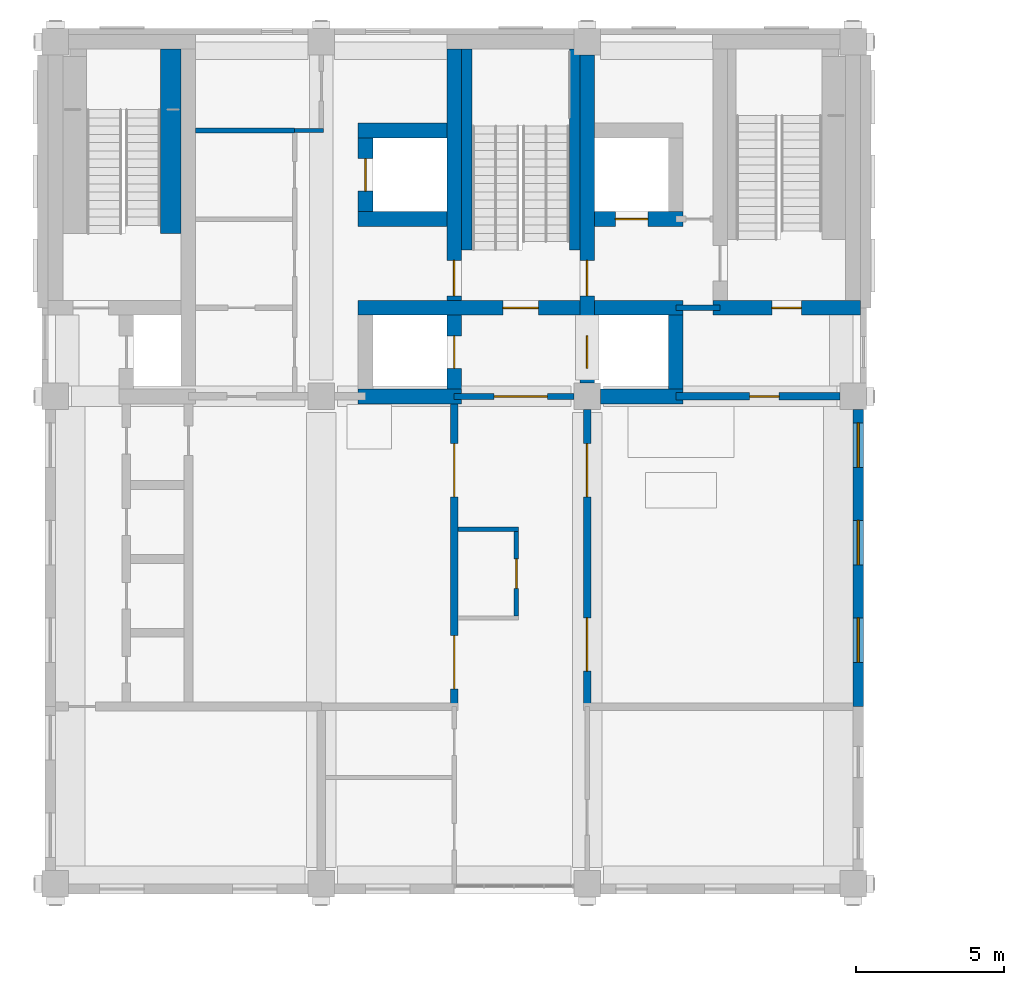
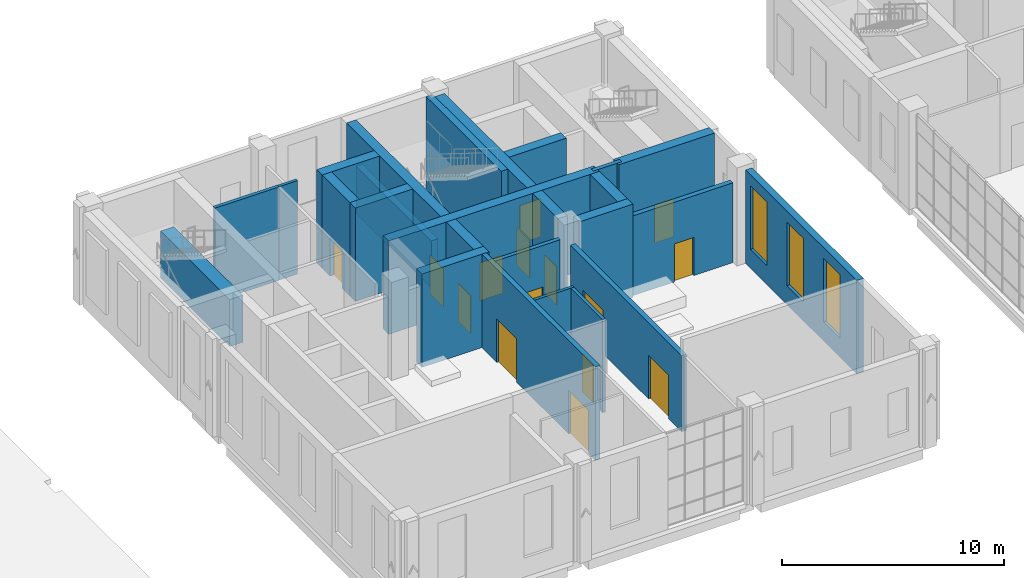
# One storey, part 22 of 33: 24 walls, 15 doors, 3 windows, 18 openings.
"""IFC4 building model written with IfcOpenShell, lengths in metres."""

from ifc_helpers import new_model, si_unit, direction, frame, frame_2d, origin, place, context, subcontext, project, spatial, rectangle, extrude, material, layer, layer_set, type_object, element, fill, save


model = new_model("IFC4")

# Units and contexts
model_context = context("Model", 3, precision=1e-05, world=origin(), true_north=direction((0.0, 1.0)))
body_context = subcontext(model_context, "Body", "Model", "MODEL_VIEW")
ifc_project = project(units=[si_unit("LENGTHUNIT", "METRE"), si_unit("AREAUNIT", "SQUARE_METRE"), si_unit("VOLUMEUNIT", "CUBIC_METRE"), si_unit("PLANEANGLEUNIT", "RADIAN"), si_unit("MASSUNIT", "GRAM", prefix="KILO")], contexts=[model_context])

# Site, building, storey
site_placement = place(None, origin())
site = spatial("IfcSite", under=ifc_project, at=site_placement, CompositionType="ELEMENT")
building_placement = place(site_placement, origin())
building = spatial("IfcBuilding", under=site, at=building_placement, Name="Aurelan Courthouse", CompositionType="ELEMENT")
storey_placement = place(building_placement, frame((0.0, 0.0, 22.800048828125)))
storey = spatial("IfcBuildingStorey", under=building, at=storey_placement, Name="L04", CompositionType="ELEMENT", Elevation=22.800048828125)

# Walls
ifc_material_1 = material(Name="Gypsum board on metal studs")
ifc_layer_1 = layer(ifc_material_1, 0.175048828125)
ifc_layer_set_1 = layer_set([ifc_layer_1], Name="Gypsum board on metal studs")
wall_type_1 = type_object("IfcWallType", Name="Chambers acoustic partition 175 NOT RATED", PredefinedType="PARTITIONING", material=ifc_layer_set_1)
wall_1_placement = place(storey_placement, frame((40.75, 63.0, 0.0), z_axis=(0.0, 0.0, 1.0), x_axis=(1.0, 0.0, 0.0)))
element("IfcWall", 1, at=wall_1_placement, inside=storey, type_object=wall_type_1, Name="Chambers acoustic partition L04-038", PredefinedType="PARTITIONING", context=body_context, shape_type="SweptSolid", body=[
    extrude(rectangle(XDim=3.35009765625, YDim=0.175048828125, at=frame_2d((1.675048828125, 0.0))), origin(), (0.0, 0.0, 1.0), 5.14990234375),
])
ifc_layer_2 = layer(ifc_material_1, 0.14990234375)
ifc_layer_set_2 = layer_set([ifc_layer_2], Name="Gypsum board on metal studs")
wall_type_2 = type_object("IfcWallType", Name="Corridor partition 150 EI 60", PredefinedType="PARTITIONING", material=ifc_layer_set_2)
wall_2_placement = place(storey_placement, frame((49.625, 49.5, 0.0), z_axis=(0.0, 0.0, 1.0), x_axis=(1.0, 0.0, 0.0)))
element("IfcWall", 2, at=wall_2_placement, inside=storey, type_object=wall_type_2, Name="Corridor partition L04-020", PredefinedType="PARTITIONING", context=body_context, shape_type="SweptSolid", body=[
    extrude(rectangle(XDim=2.050048828125, YDim=0.14990234375, at=frame_2d((1.02490234375, 0.0))), origin(), (0.0, 0.0, 1.0), 5.14990234375),
])
wall_3_placement = place(storey_placement, frame((44.10009765625, 63.0, 0.0), z_axis=(0.0, 0.0, 1.0), x_axis=(1.0, 0.0, 0.0)))
element("IfcWall", 3, at=wall_3_placement, inside=storey, type_object=wall_type_2, Name="Corridor partition L04-039", PredefinedType="PARTITIONING", context=body_context, shape_type="SweptSolid", body=[
    extrude(rectangle(XDim=0.974853515625, YDim=0.14990234375, at=frame_2d((0.4873046875, 0.0))), origin(), (0.0, 0.0, 1.0), 5.14990234375),
])

# Wall, opening, door
wall_4_placement = place(storey_placement, frame((51.60009765625, 46.574951171875, 0.0), z_axis=(0.0, 0.0, 1.0), x_axis=(0.0, 1.0, 0.0)))
wall_4 = element("IfcWall", 4, at=wall_4_placement, inside=storey, type_object=wall_type_2, Name="Corridor partition L04-057", PredefinedType="PARTITIONING", context=body_context, shape_type="SweptSolid", body=[
    extrude(rectangle(XDim=2.85009765625, YDim=0.14990234375, at=frame_2d((1.425048828125, 0.0))), origin(), (0.0, 0.0, 1.0), 5.14990234375),
])
opening_1_placement = place(wall_4_placement, frame((0.925048828125, 0.0, 0.0)))
opening_1 = element("IfcOpeningElement", 5, at=opening_1_placement, cuts=wall_4, Name="Opening D-L04-013", PredefinedType="OPENING", context=body_context, shape_type="SweptSolid", body=[
    extrude(rectangle(XDim=1.0, YDim=2.10009765625, at=frame_2d((0.5, 1.050048828125))), frame((0.0, 0.0849609375, 0.0), z_axis=(0.0, -1.0, 0.0), x_axis=(1.0, 0.0, 0.0)), (0.0, 0.0, 1.0), 0.169921875),
])
ifc_material_2 = material(Name="Steel", Category="steel")
door_type_1 = type_object("IfcDoorType", Name="Single door 1000 x 2100 FD60", OperationType="SINGLE_SWING_LEFT", PredefinedType="DOOR", material=ifc_material_2)
door_1_placement = place(opening_1_placement, origin())
door_1 = element("IfcDoor", 6, at=door_1_placement, inside=storey, type_object=door_type_1, Name="Single door D-L04-013", OperationType="SINGLE_SWING_RIGHT", OverallHeight=2.10009765625, OverallWidth=1.0, PredefinedType="DOOR", context=body_context, shape_type="SweptSolid", body=[
    extrude(rectangle(XDim=1.0, YDim=2.10009765625, at=frame_2d((0.5, 1.050048828125))), frame((0.0, 0.02490234375, 0.0), z_axis=(0.0, -1.0, 0.0), x_axis=(1.0, 0.0, 0.0)), (0.0, 0.0, 1.0), 0.050048828125),
])
fill(opening_1, door_1)

# Wall, openings, windows
ifc_material_3 = material(Name="Limestone cladding", Category="masonry")
ifc_layer_3 = layer(ifc_material_3, 0.10009765625, Name="Facing")
ifc_material_4 = material(Name="Ventilated cavity")
ifc_layer_4 = layer(ifc_material_4, 0.02490234375, ventilated=True, Name="Ventilated cavity")
ifc_material_5 = material(Name="Mineral wool insulation")
ifc_layer_5 = layer(ifc_material_5, 0.050048828125, Name="Insulation")
ifc_material_6 = material(Name="Concrete C30", Category="concrete")
ifc_layer_6 = layer(ifc_material_6, 0.175048828125, Name="Structure")
ifc_layer_set_3 = layer_set([ifc_layer_3, ifc_layer_4, ifc_layer_5, ifc_layer_6], Name="Concrete C30")
wall_type_3 = type_object("IfcWallType", Name="Courtroom Block stone-faced wall 350", PredefinedType="SOLIDWALL", material=ifc_layer_set_3)
wall_5_placement = place(storey_placement, frame((63.175048828125, 43.5, 0.0), z_axis=(0.0, 0.0, 1.0), x_axis=(0.0, 1.0, 0.0)))
wall_5 = element("IfcWall", 7, at=wall_5_placement, inside=storey, type_object=wall_type_3, Name="Facade wall FW-V2-L04-008", PredefinedType="SOLIDWALL", context=body_context, shape_type="SweptSolid", body=[
    extrude(rectangle(XDim=10.050048828125, YDim=0.35009765625, at=frame_2d((5.02490234375, 0.0))), origin(), (0.0, 0.0, 1.0), 5.14990234375),
])
opening_2_placement = place(wall_5_placement, frame((1.5, 0.0, 1.050048828125)))
opening_2 = element("IfcOpeningElement", 8, at=opening_2_placement, cuts=wall_5, Name="Opening WN-V2-L04-011", PredefinedType="OPENING", context=body_context, shape_type="SweptSolid", body=[
    extrude(rectangle(XDim=1.5, YDim=3.5, at=frame_2d((0.75, 1.75))), frame((0.0, 0.18505859375, 0.0), z_axis=(0.0, -1.0, 0.0), x_axis=(1.0, 0.0, 0.0)), (0.0, 0.0, 1.0), 0.3701171875),
])
opening_3_placement = place(wall_5_placement, frame((4.800048828125, 0.0, 1.050048828125)))
opening_3 = element("IfcOpeningElement", 9, at=opening_3_placement, cuts=wall_5, Name="Opening WN-V2-L04-012", PredefinedType="OPENING", context=body_context, shape_type="SweptSolid", body=[
    extrude(rectangle(XDim=1.5, YDim=3.5, at=frame_2d((0.75, 1.75))), frame((0.0, 0.18505859375, 0.0), z_axis=(0.0, -1.0, 0.0), x_axis=(1.0, 0.0, 0.0)), (0.0, 0.0, 1.0), 0.3701171875),
])
opening_4_placement = place(wall_5_placement, frame((8.10009765625, 0.0, 1.050048828125)))
opening_4 = element("IfcOpeningElement", 10, at=opening_4_placement, cuts=wall_5, Name="Opening WN-V2-L04-013", PredefinedType="OPENING", context=body_context, shape_type="SweptSolid", body=[
    extrude(rectangle(XDim=1.5, YDim=3.5, at=frame_2d((0.75, 1.75))), frame((0.0, 0.18505859375, 0.0), z_axis=(0.0, -1.0, 0.0), x_axis=(1.0, 0.0, 0.0)), (0.0, 0.0, 1.0), 0.3701171875),
])
ifc_material_7 = material(Name="Bronze-finished aluminium and glass", Category="aluminium")
window_type = type_object("IfcWindowType", Name="Courtroom Block glazed slot 1500 x 3500, sill 1050", PartitioningType="SINGLE_PANEL", PredefinedType="WINDOW", material=ifc_material_7)
window_1_placement = place(opening_2_placement, origin())
window_1 = element("IfcWindow", 11, at=window_1_placement, inside=storey, type_object=window_type, Name="Glazed slot WN-V2-L04-011", OverallHeight=3.5, OverallWidth=1.5, PartitioningType="SINGLE_PANEL", PredefinedType="WINDOW", context=body_context, shape_type="SweptSolid", body=[
    extrude(rectangle(XDim=1.5, YDim=3.5, at=frame_2d((0.75, 1.75))), frame((0.0, 0.030029296875, 0.0), z_axis=(0.0, -1.0, 0.0), x_axis=(1.0, 0.0, 0.0)), (0.0, 0.0, 1.0), 0.06005859375),
])
fill(opening_2, window_1)
window_2_placement = place(opening_3_placement, origin())
window_2 = element("IfcWindow", 12, at=window_2_placement, inside=storey, type_object=window_type, Name="Glazed slot WN-V2-L04-012", OverallHeight=3.5, OverallWidth=1.5, PartitioningType="SINGLE_PANEL", PredefinedType="WINDOW", context=body_context, shape_type="SweptSolid", body=[
    extrude(rectangle(XDim=1.5, YDim=3.5, at=frame_2d((0.75, 1.75))), frame((0.0, 0.030029296875, 0.0), z_axis=(0.0, -1.0, 0.0), x_axis=(1.0, 0.0, 0.0)), (0.0, 0.0, 1.0), 0.06005859375),
])
fill(opening_3, window_2)
window_3_placement = place(opening_4_placement, origin())
window_3 = element("IfcWindow", 13, at=window_3_placement, inside=storey, type_object=window_type, Name="Glazed slot WN-V2-L04-013", OverallHeight=3.5, OverallWidth=1.5, PartitioningType="SINGLE_PANEL", PredefinedType="WINDOW", context=body_context, shape_type="SweptSolid", body=[
    extrude(rectangle(XDim=1.5, YDim=3.5, at=frame_2d((0.75, 1.75))), frame((0.0, 0.030029296875, 0.0), z_axis=(0.0, -1.0, 0.0), x_axis=(1.0, 0.0, 0.0)), (0.0, 0.0, 1.0), 0.06005859375),
])
fill(opening_4, window_3)

# Wall, opening, door
ifc_material_8 = material(Name="Masonry block", Category="masonry")
ifc_layer_7 = layer(ifc_material_8, 0.25)
ifc_layer_set_4 = layer_set([ifc_layer_7], Name="Masonry block")
wall_type_4 = type_object("IfcWallType", Name="Courtroom wall 250 EI 60", PredefinedType="PARTITIONING", material=ifc_layer_set_4)
wall_6_placement = place(storey_placement, frame((57.0, 54.0, 0.0), z_axis=(0.0, 0.0, 1.0), x_axis=(1.0, 0.0, 0.0)))
wall_6 = element("IfcWall", 14, at=wall_6_placement, inside=storey, type_object=wall_type_4, Name="Courtroom wall L04-025", PredefinedType="PARTITIONING", context=body_context, shape_type="SweptSolid", body=[
    extrude(rectangle(XDim=5.550048828125, YDim=0.25, at=frame_2d((2.77490234375, 0.0))), origin(), (0.0, 0.0, 1.0), 4.39990234375),
])
opening_5_placement = place(wall_6_placement, frame((2.5, 0.0, 0.0)))
opening_5 = element("IfcOpeningElement", 15, at=opening_5_placement, cuts=wall_6, Name="Opening D-L04-034", PredefinedType="OPENING", context=body_context, shape_type="SweptSolid", body=[
    extrude(rectangle(XDim=1.0, YDim=2.10009765625, at=frame_2d((0.5, 1.050048828125))), frame((0.0, 0.135009765625, 0.0), z_axis=(0.0, -1.0, 0.0), x_axis=(1.0, 0.0, 0.0)), (0.0, 0.0, 1.0), 0.27001953125),
])
door_type_2 = type_object("IfcDoorType", Name="Single door 1000 x 2100 FD30", OperationType="SINGLE_SWING_LEFT", PredefinedType="DOOR", material=ifc_material_2)
door_2_placement = place(opening_5_placement, origin())
door_2 = element("IfcDoor", 16, at=door_2_placement, inside=storey, type_object=door_type_2, Name="Single door D-L04-034", OperationType="SINGLE_SWING_LEFT", OverallHeight=2.10009765625, OverallWidth=1.0, PredefinedType="DOOR", context=body_context, shape_type="SweptSolid", body=[
    extrude(rectangle(XDim=1.0, YDim=2.10009765625, at=frame_2d((0.5, 1.050048828125))), frame((0.0, 0.02490234375, 0.0), z_axis=(0.0, -1.0, 0.0), x_axis=(1.0, 0.0, 0.0)), (0.0, 0.0, 1.0), 0.050048828125),
])
fill(opening_5, door_2)

# Wall, openings, doors
wall_7_placement = place(storey_placement, frame((49.5, 43.5, 0.0), z_axis=(0.0, 0.0, 1.0), x_axis=(0.0, 1.0, 0.0)))
wall_7 = element("IfcWall", 17, at=wall_7_placement, inside=storey, type_object=wall_type_4, Name="Courtroom wall L04-056", PredefinedType="PARTITIONING", context=body_context, shape_type="SweptSolid", body=[
    extrude(rectangle(XDim=10.5, YDim=0.25, at=frame_2d((5.25, 0.0))), origin(), (0.0, 0.0, 1.0), 5.14990234375),
])
opening_6_placement = place(wall_7_placement, frame((0.60009765625, 0.0, 0.0)))
opening_6 = element("IfcOpeningElement", 18, at=opening_6_placement, cuts=wall_7, Name="Opening D-L04-014", PredefinedType="OPENING", context=body_context, shape_type="SweptSolid", body=[
    extrude(rectangle(XDim=1.800048828125, YDim=2.39990234375, at=frame_2d((0.89990234375, 1.199951171875))), frame((0.0, 0.135009765625, 0.0), z_axis=(0.0, -1.0, 0.0), x_axis=(1.0, 0.0, 0.0)), (0.0, 0.0, 1.0), 0.27001953125),
])
opening_7_placement = place(wall_7_placement, frame((7.10009765625, 0.0, 0.0)))
opening_7 = element("IfcOpeningElement", 19, at=opening_7_placement, cuts=wall_7, Name="Opening D-L04-015", PredefinedType="OPENING", context=body_context, shape_type="SweptSolid", body=[
    extrude(rectangle(XDim=1.800048828125, YDim=2.39990234375, at=frame_2d((0.89990234375, 1.199951171875))), frame((0.0, 0.135009765625, 0.0), z_axis=(0.0, -1.0, 0.0), x_axis=(1.0, 0.0, 0.0)), (0.0, 0.0, 1.0), 0.27001953125),
])
door_type_3 = type_object("IfcDoorType", Name="Double door 1800 x 2400 FD30", OperationType="DOUBLE_DOOR_SINGLE_SWING", PredefinedType="DOOR", material=ifc_material_2)
door_3_placement = place(opening_6_placement, origin())
door_3 = element("IfcDoor", 20, at=door_3_placement, inside=storey, type_object=door_type_3, Name="Double door D-L04-014", OperationType="DOUBLE_DOOR_SINGLE_SWING", OverallHeight=2.39990234375, OverallWidth=1.800048828125, PredefinedType="DOOR", context=body_context, shape_type="SweptSolid", body=[
    extrude(rectangle(XDim=1.800048828125, YDim=2.39990234375, at=frame_2d((0.89990234375, 1.199951171875))), frame((0.0, 0.02490234375, 0.0), z_axis=(0.0, -1.0, 0.0), x_axis=(1.0, 0.0, 0.0)), (0.0, 0.0, 1.0), 0.050048828125),
])
fill(opening_6, door_3)
door_4_placement = place(opening_7_placement, origin())
door_4 = element("IfcDoor", 21, at=door_4_placement, inside=storey, type_object=door_type_3, Name="Double door D-L04-015", OperationType="DOUBLE_DOOR_SINGLE_SWING", OverallHeight=2.39990234375, OverallWidth=1.800048828125, PredefinedType="DOOR", context=body_context, shape_type="SweptSolid", body=[
    extrude(rectangle(XDim=1.800048828125, YDim=2.39990234375, at=frame_2d((0.89990234375, 1.199951171875))), frame((0.0, 0.02490234375, 0.0), z_axis=(0.0, -1.0, 0.0), x_axis=(1.0, 0.0, 0.0)), (0.0, 0.0, 1.0), 0.050048828125),
])
fill(opening_7, door_4)

wall_8_placement = place(storey_placement, frame((54.0, 43.5, 0.0), z_axis=(0.0, 0.0, 1.0), x_axis=(0.0, 1.0, 0.0)))
wall_8 = element("IfcWall", 22, at=wall_8_placement, inside=storey, type_object=wall_type_4, Name="Courtroom wall L04-059", PredefinedType="PARTITIONING", context=body_context, shape_type="SweptSolid", body=[
    extrude(rectangle(XDim=10.050048828125, YDim=0.25, at=frame_2d((5.02490234375, 0.0))), origin(), (0.0, 0.0, 1.0), 4.199951171875),
])
opening_8_placement = place(wall_8_placement, frame((3.0, 0.0, 0.0), z_axis=(0.0, 0.0, 1.0), x_axis=(-1.0, 0.0, 0.0)))
opening_8 = element("IfcOpeningElement", 23, at=opening_8_placement, cuts=wall_8, Name="Opening D-L04-025", PredefinedType="OPENING", context=body_context, shape_type="SweptSolid", body=[
    extrude(rectangle(XDim=1.800048828125, YDim=2.39990234375, at=frame_2d((0.89990234375, 1.199951171875))), frame((0.0, 0.135009765625, 0.0), z_axis=(0.0, -1.0, 0.0), x_axis=(1.0, 0.0, 0.0)), (0.0, 0.0, 1.0), 0.27001953125),
])
opening_9_placement = place(wall_8_placement, frame((8.900146484375, 0.0, 0.0), z_axis=(0.0, 0.0, 1.0), x_axis=(-1.0, 0.0, 0.0)))
opening_9 = element("IfcOpeningElement", 24, at=opening_9_placement, cuts=wall_8, Name="Opening D-L04-026", PredefinedType="OPENING", context=body_context, shape_type="SweptSolid", body=[
    extrude(rectangle(XDim=1.800048828125, YDim=2.39990234375, at=frame_2d((0.89990234375, 1.199951171875))), frame((0.0, 0.135009765625, 0.0), z_axis=(0.0, -1.0, 0.0), x_axis=(1.0, 0.0, 0.0)), (0.0, 0.0, 1.0), 0.27001953125),
])
door_5_placement = place(opening_8_placement, origin())
door_5 = element("IfcDoor", 25, at=door_5_placement, inside=storey, type_object=door_type_3, Name="Double door D-L04-025", OperationType="DOUBLE_DOOR_SINGLE_SWING", OverallHeight=2.39990234375, OverallWidth=1.800048828125, PredefinedType="DOOR", context=body_context, shape_type="SweptSolid", body=[
    extrude(rectangle(XDim=1.800048828125, YDim=2.39990234375, at=frame_2d((0.89990234375, 1.199951171875))), frame((0.0, 0.02490234375, 0.0), z_axis=(0.0, -1.0, 0.0), x_axis=(1.0, 0.0, 0.0)), (0.0, 0.0, 1.0), 0.050048828125),
])
fill(opening_8, door_5)
door_6_placement = place(opening_9_placement, origin())
door_6 = element("IfcDoor", 26, at=door_6_placement, inside=storey, type_object=door_type_3, Name="Double door D-L04-026", OperationType="DOUBLE_DOOR_SINGLE_SWING", OverallHeight=2.39990234375, OverallWidth=1.800048828125, PredefinedType="DOOR", context=body_context, shape_type="SweptSolid", body=[
    extrude(rectangle(XDim=1.800048828125, YDim=2.39990234375, at=frame_2d((0.89990234375, 1.199951171875))), frame((0.0, 0.02490234375, 0.0), z_axis=(0.0, -1.0, 0.0), x_axis=(1.0, 0.0, 0.0)), (0.0, 0.0, 1.0), 0.050048828125),
])
fill(opening_9, door_6)

# Wall, opening, door
ifc_layer_8 = layer(ifc_material_8, 0.199951171875)
ifc_layer_set_5 = layer_set([ifc_layer_8], Name="Masonry block")
wall_type_5 = type_object("IfcWallType", Name="Lift lobby wall 200 EI 60", PredefinedType="PARTITIONING", material=ifc_layer_set_5)
wall_9_placement = place(storey_placement, frame((49.5, 54.0, 0.0), z_axis=(0.0, 0.0, 1.0), x_axis=(1.0, 0.0, 0.0)))
wall_9 = element("IfcWall", 27, at=wall_9_placement, inside=storey, type_object=wall_type_5, Name="Lift lobby wall L04-024", PredefinedType="PARTITIONING", context=body_context, shape_type="SweptSolid", body=[
    extrude(rectangle(XDim=4.050048828125, YDim=0.199951171875, at=frame_2d((2.02490234375, 0.0))), origin(), (0.0, 0.0, 1.0), 4.39990234375),
])
opening_10_placement = place(wall_9_placement, frame((1.35009765625, 0.0, 0.0)))
opening_10 = element("IfcOpeningElement", 28, at=opening_10_placement, cuts=wall_9, Name="Opening D-L04-012", PredefinedType="OPENING", context=body_context, shape_type="SweptSolid", body=[
    extrude(rectangle(XDim=1.800048828125, YDim=2.10009765625, at=frame_2d((0.89990234375, 1.050048828125))), frame((0.0, 0.10986328125, 0.0), z_axis=(0.0, -1.0, 0.0), x_axis=(1.0, 0.0, 0.0)), (0.0, 0.0, 1.0), 0.219970703125),
])
door_type_4 = type_object("IfcDoorType", Name="Double door 1800 x 2100 FD60", OperationType="DOUBLE_DOOR_SINGLE_SWING", PredefinedType="DOOR", material=ifc_material_2)
door_7_placement = place(opening_10_placement, origin())
door_7 = element("IfcDoor", 29, at=door_7_placement, inside=storey, type_object=door_type_4, Name="Double door D-L04-012", OperationType="DOUBLE_DOOR_SINGLE_SWING", OverallHeight=2.10009765625, OverallWidth=1.800048828125, PredefinedType="DOOR", context=body_context, shape_type="SweptSolid", body=[
    extrude(rectangle(XDim=1.800048828125, YDim=2.10009765625, at=frame_2d((0.89990234375, 1.050048828125))), frame((0.0, 0.02490234375, 0.0), z_axis=(0.0, -1.0, 0.0), x_axis=(1.0, 0.0, 0.0)), (0.0, 0.0, 1.0), 0.050048828125),
])
fill(opening_10, door_7)

# Walls
wall_10_placement = place(storey_placement, frame((57.0, 57.0, 0.0), z_axis=(0.0, 0.0, 1.0), x_axis=(1.0, 0.0, 0.0)))
element("IfcWall", 30, at=wall_10_placement, inside=storey, type_object=wall_type_5, Name="Lift lobby wall L04-033", PredefinedType="PARTITIONING", context=body_context, shape_type="SweptSolid", body=[
    extrude(rectangle(XDim=1.5, YDim=0.199951171875, at=frame_2d((0.75, 0.0))), origin(), (0.0, 0.0, 1.0), 5.14990234375),
])
ifc_material_9 = material(Name="Concrete C50", Category="concrete")
ifc_layer_9 = layer(ifc_material_9, 0.5)
ifc_layer_set_6 = layer_set([ifc_layer_9], Name="Concrete C50")
wall_type_6 = type_object("IfcWallType", Name="RC shear wall 500", PredefinedType="SHEAR", material=ifc_layer_set_6)
wall_11_placement = place(storey_placement, frame((46.25, 54.0, 0.0), z_axis=(0.0, 0.0, 1.0), x_axis=(1.0, 0.0, 0.0)))
element("IfcWall", 31, at=wall_11_placement, inside=storey, type_object=wall_type_6, Name="Core wall SW-L04-017", PredefinedType="SHEAR", context=body_context, shape_type="SweptSolid", body=[
    extrude(rectangle(XDim=3.5, YDim=0.5, at=frame_2d((1.75, 0.0))), origin(), (0.0, 0.0, 1.0), 5.14990234375),
])
wall_12_placement = place(storey_placement, frame((54.449951171875, 54.0, 0.0), z_axis=(0.0, 0.0, 1.0), x_axis=(1.0, 0.0, 0.0)))
element("IfcWall", 32, at=wall_12_placement, inside=storey, type_object=wall_type_6, Name="Core wall SW-L04-018", PredefinedType="SHEAR", context=body_context, shape_type="SweptSolid", body=[
    extrude(rectangle(XDim=2.800048828125, YDim=0.5, at=frame_2d((1.39990234375, 0.0))), origin(), (0.0, 0.0, 1.0), 5.14990234375),
])

# Wall, openings, doors
wall_13_placement = place(storey_placement, frame((49.5, 54.25, 0.0), z_axis=(0.0, 0.0, 1.0), x_axis=(0.0, 1.0, 0.0)))
wall_13 = element("IfcWall", 33, at=wall_13_placement, inside=storey, type_object=wall_type_6, Name="Core wall SW-L04-022", PredefinedType="SHEAR", context=body_context, shape_type="SweptSolid", body=[
    extrude(rectangle(XDim=11.5, YDim=0.5, at=frame_2d((5.75, 0.0))), origin(), (0.0, 0.0, 1.0), 5.14990234375),
])
opening_11_placement = place(wall_13_placement, frame((0.699951171875, 0.0, 0.0)))
opening_11 = element("IfcOpeningElement", 34, at=opening_11_placement, cuts=wall_13, Name="Opening LD-V2-P1-L04", PredefinedType="OPENING", context=body_context, shape_type="SweptSolid", body=[
    extrude(rectangle(XDim=1.10009765625, YDim=2.10009765625, at=frame_2d((0.550048828125, 1.050048828125))), frame((0.0, 0.260009765625, 0.0), z_axis=(0.0, -1.0, 0.0), x_axis=(1.0, 0.0, 0.0)), (0.0, 0.0, 1.0), 0.52001953125),
])
opening_12_placement = place(wall_13_placement, frame((4.349853515625, 0.0, 0.0), z_axis=(0.0, 0.0, 1.0), x_axis=(-1.0, 0.0, 0.0)))
opening_12 = element("IfcOpeningElement", 35, at=opening_12_placement, cuts=wall_13, Name="Opening D-L04-011", PredefinedType="OPENING", context=body_context, shape_type="SweptSolid", body=[
    extrude(rectangle(XDim=1.199951171875, YDim=2.10009765625, at=frame_2d((0.60009765625, 1.050048828125))), frame((0.0, 0.260009765625, 0.0), z_axis=(0.0, -1.0, 0.0), x_axis=(1.0, 0.0, 0.0)), (0.0, 0.0, 1.0), 0.52001953125),
])
door_type_5 = type_object("IfcDoorType", Name="Lift landing door 1100 x 2100 FD90", OperationType="SLIDING_TO_LEFT", PredefinedType="DOOR", material=ifc_material_2)
door_8_placement = place(opening_11_placement, origin())
door_8 = element("IfcDoor", 36, at=door_8_placement, inside=storey, type_object=door_type_5, Name="Lift landing door LD-V2-P1-L04", OperationType="SLIDING_TO_LEFT", OverallHeight=2.10009765625, OverallWidth=1.10009765625, PredefinedType="DOOR", context=body_context, shape_type="SweptSolid", body=[
    extrude(rectangle(XDim=1.10009765625, YDim=2.10009765625, at=frame_2d((0.550048828125, 1.050048828125))), frame((0.0, 0.02490234375, 0.0), z_axis=(0.0, -1.0, 0.0), x_axis=(1.0, 0.0, 0.0)), (0.0, 0.0, 1.0), 0.050048828125),
])
fill(opening_11, door_8)
door_type_6 = type_object("IfcDoorType", Name="Single door 1200 x 2100 FD90", OperationType="SINGLE_SWING_LEFT", PredefinedType="DOOR", material=ifc_material_2)
door_9_placement = place(opening_12_placement, origin())
door_9 = element("IfcDoor", 37, at=door_9_placement, inside=storey, type_object=door_type_6, Name="Single door D-L04-011", OperationType="SINGLE_SWING_RIGHT", OverallHeight=2.10009765625, OverallWidth=1.199951171875, PredefinedType="DOOR", context=body_context, shape_type="SweptSolid", body=[
    extrude(rectangle(XDim=1.199951171875, YDim=2.10009765625, at=frame_2d((0.60009765625, 1.050048828125))), frame((0.0, 0.02490234375, 0.0), z_axis=(0.0, -1.0, 0.0), x_axis=(1.0, 0.0, 0.0)), (0.0, 0.0, 1.0), 0.050048828125),
])
fill(opening_12, door_9)

# Wall
wall_14_placement = place(storey_placement, frame((57.0, 54.25, 0.0), z_axis=(0.0, 0.0, 1.0), x_axis=(0.0, 1.0, 0.0)))
element("IfcWall", 38, at=wall_14_placement, inside=storey, type_object=wall_type_6, Name="Core wall SW-L04-023", PredefinedType="SHEAR", context=body_context, shape_type="SweptSolid", body=[
    extrude(rectangle(XDim=2.5, YDim=0.5, at=frame_2d((1.25, 0.0))), origin(), (0.0, 0.0, 1.0), 5.14990234375),
])

# Wall, openings, doors
wall_15_placement = place(storey_placement, frame((54.0, 54.449951171875, 0.0), z_axis=(0.0, 0.0, 1.0), x_axis=(0.0, 1.0, 0.0)))
wall_15 = element("IfcWall", 39, at=wall_15_placement, inside=storey, type_object=wall_type_6, Name="Core wall SW-L04-024", PredefinedType="SHEAR", context=body_context, shape_type="SweptSolid", body=[
    extrude(rectangle(XDim=11.10009765625, YDim=0.5, at=frame_2d((5.550048828125, 0.0))), origin(), (0.0, 0.0, 1.0), 5.14990234375),
])
opening_13_placement = place(wall_15_placement, frame((0.5, 0.0, 0.0)))
opening_13 = element("IfcOpeningElement", 40, at=opening_13_placement, cuts=wall_15, Name="Opening LD-V2-P2-L04", PredefinedType="OPENING", context=body_context, shape_type="SweptSolid", body=[
    extrude(rectangle(XDim=1.10009765625, YDim=2.10009765625, at=frame_2d((0.550048828125, 1.050048828125))), frame((0.0, 0.260009765625, 0.0), z_axis=(0.0, -1.0, 0.0), x_axis=(1.0, 0.0, 0.0)), (0.0, 0.0, 1.0), 0.52001953125),
])
opening_14_placement = place(wall_15_placement, frame((2.949951171875, 0.0, 0.0)))
opening_14 = element("IfcOpeningElement", 41, at=opening_14_placement, cuts=wall_15, Name="Opening D-L04-007", PredefinedType="OPENING", context=body_context, shape_type="SweptSolid", body=[
    extrude(rectangle(XDim=1.199951171875, YDim=2.10009765625, at=frame_2d((0.60009765625, 1.050048828125))), frame((0.0, 0.260009765625, 0.0), z_axis=(0.0, -1.0, 0.0), x_axis=(1.0, 0.0, 0.0)), (0.0, 0.0, 1.0), 0.52001953125),
])
door_10_placement = place(opening_13_placement, origin())
door_10 = element("IfcDoor", 42, at=door_10_placement, inside=storey, type_object=door_type_5, Name="Lift landing door LD-V2-P2-L04", OperationType="SLIDING_TO_LEFT", OverallHeight=2.10009765625, OverallWidth=1.10009765625, PredefinedType="DOOR", context=body_context, shape_type="SweptSolid", body=[
    extrude(rectangle(XDim=1.10009765625, YDim=2.10009765625, at=frame_2d((0.550048828125, 1.050048828125))), frame((0.0, 0.02490234375, 0.0), z_axis=(0.0, -1.0, 0.0), x_axis=(1.0, 0.0, 0.0)), (0.0, 0.0, 1.0), 0.050048828125),
])
fill(opening_13, door_10)
door_11_placement = place(opening_14_placement, origin())
door_11 = element("IfcDoor", 43, at=door_11_placement, inside=storey, type_object=door_type_6, Name="Single door D-L04-007", OperationType="SINGLE_SWING_LEFT", OverallHeight=2.10009765625, OverallWidth=1.199951171875, PredefinedType="DOOR", context=body_context, shape_type="SweptSolid", body=[
    extrude(rectangle(XDim=1.199951171875, YDim=2.10009765625, at=frame_2d((0.60009765625, 1.050048828125))), frame((0.0, 0.02490234375, 0.0), z_axis=(0.0, -1.0, 0.0), x_axis=(1.0, 0.0, 0.0)), (0.0, 0.0, 1.0), 0.050048828125),
])
fill(opening_14, door_11)

# Wall, opening, door
wall_16_placement = place(storey_placement, frame((46.25, 57.0, 0.0), z_axis=(0.0, 0.0, 1.0), x_axis=(1.0, 0.0, 0.0)))
wall_16 = element("IfcWall", 44, at=wall_16_placement, inside=storey, type_object=wall_type_6, Name="Core wall SW-L04-026", PredefinedType="SHEAR", context=body_context, shape_type="SweptSolid", body=[
    extrude(rectangle(XDim=11.0, YDim=0.5, at=frame_2d((5.5, 0.0))), origin(), (0.0, 0.0, 1.0), 5.14990234375),
])
opening_15_placement = place(wall_16_placement, frame((4.89990234375, 0.0, 0.0)))
opening_15 = element("IfcOpeningElement", 45, at=opening_15_placement, cuts=wall_16, Name="Opening D-L04-005", PredefinedType="OPENING", context=body_context, shape_type="SweptSolid", body=[
    extrude(rectangle(XDim=1.199951171875, YDim=2.10009765625, at=frame_2d((0.60009765625, 1.050048828125))), frame((0.0, 0.260009765625, 0.0), z_axis=(0.0, -1.0, 0.0), x_axis=(1.0, 0.0, 0.0)), (0.0, 0.0, 1.0), 0.52001953125),
])
door_12_placement = place(opening_15_placement, origin())
door_12 = element("IfcDoor", 46, at=door_12_placement, inside=storey, type_object=door_type_6, Name="Single door D-L04-005", OperationType="SINGLE_SWING_RIGHT", OverallHeight=2.10009765625, OverallWidth=1.199951171875, PredefinedType="DOOR", context=body_context, shape_type="SweptSolid", body=[
    extrude(rectangle(XDim=1.199951171875, YDim=2.10009765625, at=frame_2d((0.60009765625, 1.050048828125))), frame((0.0, 0.02490234375, 0.0), z_axis=(0.0, -1.0, 0.0), x_axis=(1.0, 0.0, 0.0)), (0.0, 0.0, 1.0), 0.050048828125),
])
fill(opening_15, door_12)

wall_17_placement = place(storey_placement, frame((58.25, 57.0, 0.0), z_axis=(0.0, 0.0, 1.0), x_axis=(1.0, 0.0, 0.0)))
wall_17 = element("IfcWall", 47, at=wall_17_placement, inside=storey, type_object=wall_type_6, Name="Core wall SW-L04-027", PredefinedType="SHEAR", context=body_context, shape_type="SweptSolid", body=[
    extrude(rectangle(XDim=5.0, YDim=0.5, at=frame_2d((2.5, 0.0))), origin(), (0.0, 0.0, 1.0), 5.14990234375),
])
opening_16_placement = place(wall_17_placement, frame((2.0, 0.0, 0.0)))
opening_16 = element("IfcOpeningElement", 48, at=opening_16_placement, cuts=wall_17, Name="Opening D-L04-033", PredefinedType="OPENING", context=body_context, shape_type="SweptSolid", body=[
    extrude(rectangle(XDim=1.0, YDim=2.10009765625, at=frame_2d((0.5, 1.050048828125))), frame((0.0, 0.260009765625, 0.0), z_axis=(0.0, -1.0, 0.0), x_axis=(1.0, 0.0, 0.0)), (0.0, 0.0, 1.0), 0.52001953125),
])
door_type_7 = type_object("IfcDoorType", Name="Single door 1000 x 2100 FD90", OperationType="SINGLE_SWING_LEFT", PredefinedType="DOOR", material=ifc_material_2)
door_13_placement = place(opening_16_placement, origin())
door_13 = element("IfcDoor", 49, at=door_13_placement, inside=storey, type_object=door_type_7, Name="Single door D-L04-033", OperationType="SINGLE_SWING_RIGHT", OverallHeight=2.10009765625, OverallWidth=1.0, PredefinedType="DOOR", context=body_context, shape_type="SweptSolid", body=[
    extrude(rectangle(XDim=1.0, YDim=2.10009765625, at=frame_2d((0.5, 1.050048828125))), frame((0.0, 0.02490234375, 0.0), z_axis=(0.0, -1.0, 0.0), x_axis=(1.0, 0.0, 0.0)), (0.0, 0.0, 1.0), 0.050048828125),
])
fill(opening_16, door_13)

# Wall
wall_18_placement = place(storey_placement, frame((46.25, 60.0, 0.0), z_axis=(0.0, 0.0, 1.0), x_axis=(1.0, 0.0, 0.0)))
element("IfcWall", 50, at=wall_18_placement, inside=storey, type_object=wall_type_6, Name="Core wall SW-L04-037", PredefinedType="SHEAR", context=body_context, shape_type="SweptSolid", body=[
    extrude(rectangle(XDim=3.0, YDim=0.5, at=frame_2d((1.5, 0.0))), origin(), (0.0, 0.0, 1.0), 5.14990234375),
])

# Wall, opening, door
wall_19_placement = place(storey_placement, frame((54.25, 60.0, 0.0), z_axis=(0.0, 0.0, 1.0), x_axis=(1.0, 0.0, 0.0)))
wall_19 = element("IfcWall", 51, at=wall_19_placement, inside=storey, type_object=wall_type_6, Name="Core wall SW-L04-038", PredefinedType="SHEAR", context=body_context, shape_type="SweptSolid", body=[
    extrude(rectangle(XDim=3.0, YDim=0.5, at=frame_2d((1.5, 0.0))), origin(), (0.0, 0.0, 1.0), 5.14990234375),
])
opening_17_placement = place(wall_19_placement, frame((0.699951171875, 0.0, 0.0)))
opening_17 = element("IfcOpeningElement", 52, at=opening_17_placement, cuts=wall_19, Name="Opening LD-V2-F1-L04", PredefinedType="OPENING", context=body_context, shape_type="SweptSolid", body=[
    extrude(rectangle(XDim=1.10009765625, YDim=2.10009765625, at=frame_2d((0.550048828125, 1.050048828125))), frame((0.0, 0.260009765625, 0.0), z_axis=(0.0, -1.0, 0.0), x_axis=(1.0, 0.0, 0.0)), (0.0, 0.0, 1.0), 0.52001953125),
])
door_14_placement = place(opening_17_placement, origin())
door_14 = element("IfcDoor", 53, at=door_14_placement, inside=storey, type_object=door_type_5, Name="Lift landing door LD-V2-F1-L04", OperationType="SLIDING_TO_LEFT", OverallHeight=2.10009765625, OverallWidth=1.10009765625, PredefinedType="DOOR", context=body_context, shape_type="SweptSolid", body=[
    extrude(rectangle(XDim=1.10009765625, YDim=2.10009765625, at=frame_2d((0.550048828125, 1.050048828125))), frame((0.0, 0.02490234375, 0.0), z_axis=(0.0, -1.0, 0.0), x_axis=(1.0, 0.0, 0.0)), (0.0, 0.0, 1.0), 0.050048828125),
])
fill(opening_17, door_14)

wall_20_placement = place(storey_placement, frame((46.5, 60.25, 0.0), z_axis=(0.0, 0.0, 1.0), x_axis=(0.0, 1.0, 0.0)))
wall_20 = element("IfcWall", 54, at=wall_20_placement, inside=storey, type_object=wall_type_6, Name="Core wall SW-L04-040", PredefinedType="SHEAR", context=body_context, shape_type="SweptSolid", body=[
    extrude(rectangle(XDim=2.5, YDim=0.5, at=frame_2d((1.25, 0.0))), origin(), (0.0, 0.0, 1.0), 5.14990234375),
])
opening_18_placement = place(wall_20_placement, frame((0.699951171875, 0.0, 0.0)))
opening_18 = element("IfcOpeningElement", 55, at=opening_18_placement, cuts=wall_20, Name="Opening LD-V2-J1-L04", PredefinedType="OPENING", context=body_context, shape_type="SweptSolid", body=[
    extrude(rectangle(XDim=1.10009765625, YDim=2.10009765625, at=frame_2d((0.550048828125, 1.050048828125))), frame((0.0, 0.260009765625, 0.0), z_axis=(0.0, -1.0, 0.0), x_axis=(1.0, 0.0, 0.0)), (0.0, 0.0, 1.0), 0.52001953125),
])
door_15_placement = place(opening_18_placement, origin())
door_15 = element("IfcDoor", 56, at=door_15_placement, inside=storey, type_object=door_type_5, Name="Lift landing door LD-V2-J1-L04", OperationType="SLIDING_TO_LEFT", OverallHeight=2.10009765625, OverallWidth=1.10009765625, PredefinedType="DOOR", context=body_context, shape_type="SweptSolid", body=[
    extrude(rectangle(XDim=1.10009765625, YDim=2.10009765625, at=frame_2d((0.550048828125, 1.050048828125))), frame((0.0, 0.02490234375, 0.0), z_axis=(0.0, -1.0, 0.0), x_axis=(1.0, 0.0, 0.0)), (0.0, 0.0, 1.0), 0.050048828125),
])
fill(opening_18, door_15)

# Walls
wall_21_placement = place(storey_placement, frame((46.25, 63.0, 0.0), z_axis=(0.0, 0.0, 1.0), x_axis=(1.0, 0.0, 0.0)))
element("IfcWall", 57, at=wall_21_placement, inside=storey, type_object=wall_type_6, Name="Core wall SW-L04-044", PredefinedType="SHEAR", context=body_context, shape_type="SweptSolid", body=[
    extrude(rectangle(XDim=3.0, YDim=0.5, at=frame_2d((1.5, 0.0))), origin(), (0.0, 0.0, 1.0), 5.14990234375),
])
ifc_layer_10 = layer(ifc_material_6, 0.35009765625)
ifc_layer_set_7 = layer_set([ifc_layer_10], Name="Concrete C30")
wall_type_7 = type_object("IfcWallType", Name="Stair well wall 350 EI 120 load-bearing", PredefinedType="SHEAR", material=ifc_layer_set_7)
wall_22_placement = place(storey_placement, frame((49.925048828125, 58.9599609375, 0.0), z_axis=(0.0, 0.0, 1.0), x_axis=(0.0, 1.0, 0.0)))
element("IfcWall", 58, at=wall_22_placement, inside=storey, type_object=wall_type_7, Name="Stair well wall ST-2A-L04 A", PredefinedType="SHEAR", context=body_context, shape_type="SweptSolid", body=[
    extrude(rectangle(XDim=6.7900390625, YDim=0.35009765625, at=frame_2d((3.39501953125, 0.0))), origin(), (0.0, 0.0, 1.0), 2.587158203125),
])
wall_23_placement = place(storey_placement, frame((53.574951171875, 58.9599609375, 0.0), z_axis=(0.0, 0.0, 1.0), x_axis=(0.0, 1.0, 0.0)))
element("IfcWall", 59, at=wall_23_placement, inside=storey, type_object=wall_type_7, Name="Stair well wall ST-2A-L04 B", PredefinedType="SHEAR", context=body_context, shape_type="SweptSolid", body=[
    extrude(rectangle(XDim=6.7900390625, YDim=0.35009765625, at=frame_2d((3.39501953125, 0.0))), origin(), (0.0, 0.0, 1.0), 5.14990234375),
])
ifc_layer_11 = layer(ifc_material_6, 0.68994140625)
ifc_layer_set_8 = layer_set([ifc_layer_11], Name="Concrete C30")
wall_type_8 = type_object("IfcWallType", Name="Stair well wall 690 EI 120 load-bearing", PredefinedType="SHEAR", material=ifc_layer_set_8)
wall_24_placement = place(storey_placement, frame((39.905029296875, 59.510009765625, 0.0), z_axis=(0.0, 0.0, 1.0), x_axis=(0.0, 1.0, 0.0)))
element("IfcWall", 60, at=wall_24_placement, inside=storey, type_object=wall_type_8, Name="Stair well wall CS-2-L04 B", PredefinedType="SHEAR", context=body_context, shape_type="SweptSolid", body=[
    extrude(rectangle(XDim=6.239990234375, YDim=0.68994140625, at=frame_2d((3.1201171875, 0.0))), origin(), (0.0, 0.0, 1.0), 2.587158203125),
])

save(model, "model.ifc")
